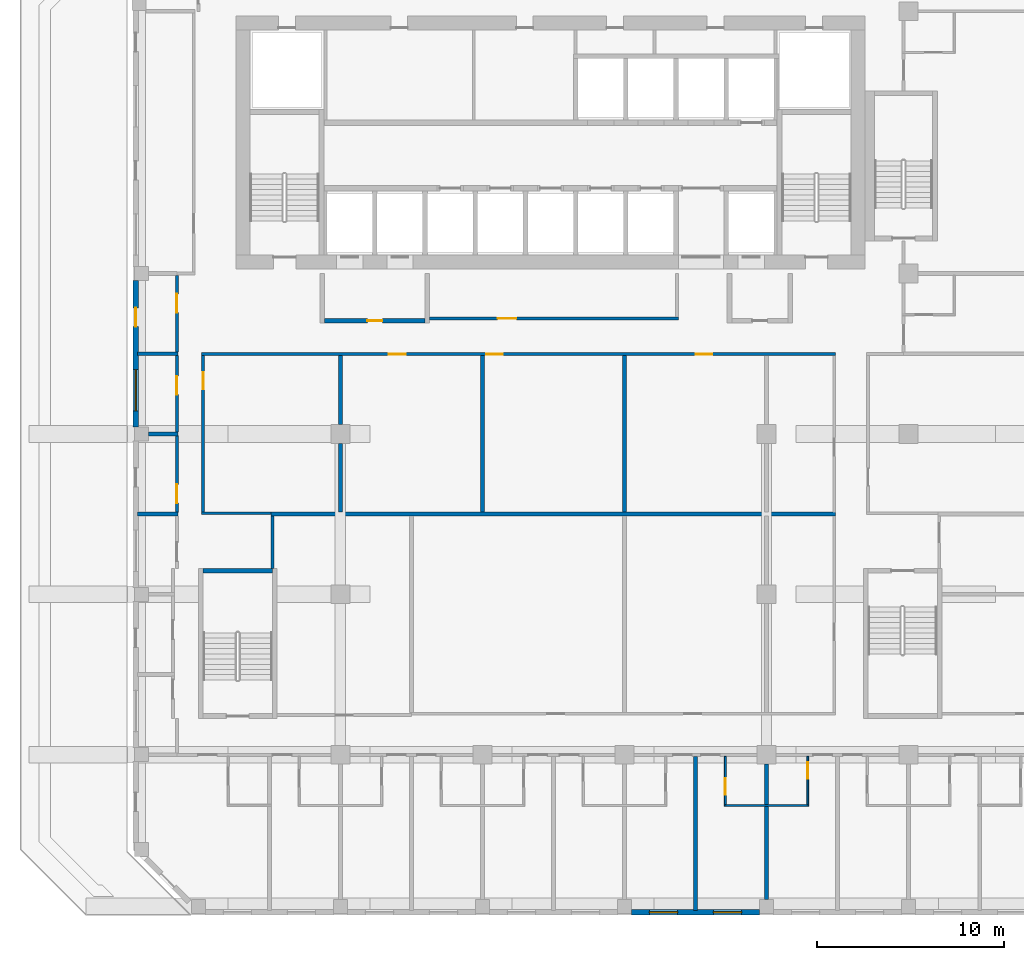
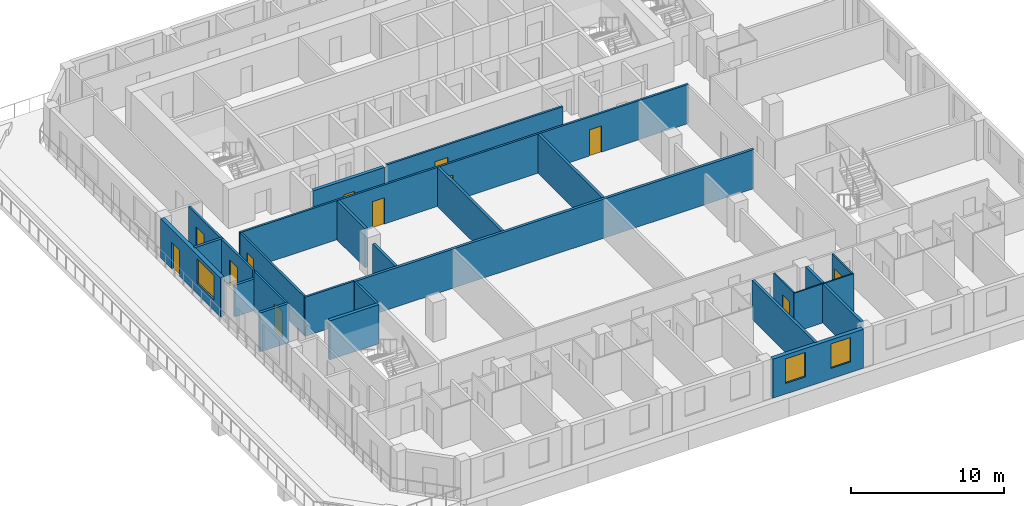
# One storey, part 4 of 16: 26 walls, 12 doors, 3 windows, 15 openings.
"""IFC4 building model written with IfcOpenShell, lengths in metres."""

from ifc_helpers import new_model, si_unit, direction, frame, frame_2d, origin, place, context, subcontext, project, spatial, rectangle, extrude, source, transform, mapped, material, layer, layer_set, type_object, element, fill, save


model = new_model("IFC4")

# Units and contexts
model_context = context("Model", 3, precision=1e-05, world=origin(), true_north=direction((0.0, 1.0)))
body_context = subcontext(model_context, "Body", "Model", "MODEL_VIEW")
ifc_project = project(units=[si_unit("LENGTHUNIT", "METRE"), si_unit("AREAUNIT", "SQUARE_METRE"), si_unit("VOLUMEUNIT", "CUBIC_METRE"), si_unit("PLANEANGLEUNIT", "RADIAN"), si_unit("MASSUNIT", "GRAM", prefix="KILO")], contexts=[model_context])

# Site, building, storey
site_placement = place(None, origin())
site = spatial("IfcSite", under=ifc_project, at=site_placement, CompositionType="ELEMENT")
building_placement = place(site_placement, origin())
building = spatial("IfcBuilding", under=site, at=building_placement, Name="Kilnfold Tower and Market Hall", CompositionType="ELEMENT")
storey_placement = place(building_placement, frame((0.0, 0.0, 199.89990234375)))
storey = spatial("IfcBuildingStorey", under=building, at=storey_placement, Name="L48", CompositionType="ELEMENT", Elevation=199.89990234375)

# Wall, opening, door
ifc_material_1 = material(Name="Gypsum board on steel studs", Category="steel")
ifc_layer_1 = layer(ifc_material_1, 0.14990234375)
ifc_layer_set_1 = layer_set([ifc_layer_1], Name="Gypsum board on steel studs")
wall_type_1 = type_object("IfcWallType", Name="WALL CORRIDOR 150", PredefinedType="PARTITIONING", material=ifc_layer_set_1)
wall_1_placement = place(storey_placement, frame((-18.89990234375, -4.7529296875, 0.0), z_axis=(0.0, 0.0, 1.0), x_axis=(0.0, 1.0, 0.0)))
wall_1 = element("IfcWall", 1, at=wall_1_placement, inside=storey, type_object=wall_type_1, Name="Partition LY30.14", PredefinedType="PARTITIONING", context=body_context, shape_type="SweptSolid", body=[
    extrude(rectangle(XDim=4.100830078125, YDim=0.14990234375, at=frame_2d((2.05029296875, 0.0))), origin(), (0.0, 0.0, 1.0), 3.1201171875),
])
opening_1_placement = place(wall_1_placement, frame((0.5, 0.0, 0.0)))
opening_1 = element("IfcOpeningElement", 2, at=opening_1_placement, cuts=wall_1, Name="Opening D4", PredefinedType="OPENING", context=body_context, shape_type="SweptSolid", body=[
    extrude(rectangle(XDim=1.0, YDim=2.10009765625, at=frame_2d((0.5, 1.050048828125))), frame((0.0, 0.0849609375, 0.0), z_axis=(0.0, -1.0, 0.0), x_axis=(1.0, 0.0, 0.0)), (0.0, 0.0, 1.0), 0.169921875),
])
ifc_material_2 = material(Name="Timber veneer door leaf in steel frame", Category="steel")
door_type_1 = type_object("IfcDoorType", Name="DOOR SERVICE 1000 X2100", OperationType="NOTDEFINED", PredefinedType="DOOR", material=ifc_material_2)
door_1_placement = place(opening_1_placement, origin())
door_1 = element("IfcDoor", 3, at=door_1_placement, inside=storey, type_object=door_type_1, Name="Door D4", OperationType="SINGLE_SWING_LEFT", OverallHeight=2.10009765625, OverallWidth=1.0, PredefinedType="DOOR", context=body_context, shape_type="SweptSolid", body=[
    extrude(rectangle(XDim=1.0, YDim=2.10009765625, at=frame_2d((0.5, 1.050048828125))), frame((0.0, 0.02490234375, 0.0), z_axis=(0.0, -1.0, 0.0), x_axis=(1.0, 0.0, 0.0)), (0.0, 0.0, 1.0), 0.050048828125),
])
fill(opening_1, door_1)

wall_2_placement = place(storey_placement, frame((-18.89990234375, -0.471923828125, 0.0), z_axis=(0.0, 0.0, 1.0), x_axis=(0.0, 1.0, 0.0)))
wall_2 = element("IfcWall", 4, at=wall_2_placement, inside=storey, type_object=wall_type_1, Name="Partition LY30.15", PredefinedType="PARTITIONING", context=body_context, shape_type="SweptSolid", body=[
    extrude(rectangle(XDim=4.100830078125, YDim=0.14990234375, at=frame_2d((2.05029296875, 0.0))), origin(), (0.0, 0.0, 1.0), 3.1201171875),
])
opening_2_placement = place(wall_2_placement, frame((2.0009765625, 0.0, 0.0)))
opening_2 = element("IfcOpeningElement", 5, at=opening_2_placement, cuts=wall_2, Name="Opening D4", PredefinedType="OPENING", context=body_context, shape_type="SweptSolid", body=[
    extrude(rectangle(XDim=1.0, YDim=2.10009765625, at=frame_2d((0.5, 1.050048828125))), frame((0.0, 0.0849609375, 0.0), z_axis=(0.0, -1.0, 0.0), x_axis=(1.0, 0.0, 0.0)), (0.0, 0.0, 1.0), 0.169921875),
])
door_2_placement = place(opening_2_placement, origin())
door_2 = element("IfcDoor", 6, at=door_2_placement, inside=storey, type_object=door_type_1, Name="Door D4", OperationType="SINGLE_SWING_RIGHT", OverallHeight=2.10009765625, OverallWidth=1.0, PredefinedType="DOOR", context=body_context, shape_type="SweptSolid", body=[
    extrude(rectangle(XDim=1.0, YDim=2.10009765625, at=frame_2d((0.5, 1.050048828125))), frame((0.0, 0.02490234375, 0.0), z_axis=(0.0, -1.0, 0.0), x_axis=(1.0, 0.0, 0.0)), (0.0, 0.0, 1.0), 0.050048828125),
])
fill(opening_2, door_2)

wall_3_placement = place(storey_placement, frame((-18.89990234375, 3.80908203125, 0.0), z_axis=(0.0, 0.0, 1.0), x_axis=(0.0, 1.0, 0.0)))
wall_3 = element("IfcWall", 7, at=wall_3_placement, inside=storey, type_object=wall_type_1, Name="Partition LY30.16", PredefinedType="PARTITIONING", context=body_context, shape_type="SweptSolid", body=[
    extrude(rectangle(XDim=4.091796875, YDim=0.14990234375, at=frame_2d((2.0458984375, 0.0))), origin(), (0.0, 0.0, 1.0), 3.1201171875),
])
opening_3_placement = place(wall_3_placement, frame((2.111083984375, 0.0, 0.0)))
opening_3 = element("IfcOpeningElement", 8, at=opening_3_placement, cuts=wall_3, Name="Opening D4", PredefinedType="OPENING", context=body_context, shape_type="SweptSolid", body=[
    extrude(rectangle(XDim=1.0, YDim=2.10009765625, at=frame_2d((0.5, 1.050048828125))), frame((0.0, 0.0849609375, 0.0), z_axis=(0.0, -1.0, 0.0), x_axis=(1.0, 0.0, 0.0)), (0.0, 0.0, 1.0), 0.169921875),
])
door_3_placement = place(opening_3_placement, origin())
door_3 = element("IfcDoor", 9, at=door_3_placement, inside=storey, type_object=door_type_1, Name="Door D4", OperationType="SINGLE_SWING_LEFT", OverallHeight=2.10009765625, OverallWidth=1.0, PredefinedType="DOOR", context=body_context, shape_type="SweptSolid", body=[
    extrude(rectangle(XDim=1.0, YDim=2.10009765625, at=frame_2d((0.5, 1.050048828125))), frame((0.0, 0.02490234375, 0.0), z_axis=(0.0, -1.0, 0.0), x_axis=(1.0, 0.0, 0.0)), (0.0, 0.0, 1.0), 0.050048828125),
])
fill(opening_3, door_3)

wall_4_placement = place(storey_placement, frame((7.875, 5.60009765625, 0.0), z_axis=(0.0, 0.0, 1.0), x_axis=(-1.0, 0.0, 0.0)))
wall_4 = element("IfcWall", 10, at=wall_4_placement, inside=storey, type_object=wall_type_1, Name="Partition LY30.32", PredefinedType="PARTITIONING", context=body_context, shape_type="SweptSolid", body=[
    extrude(rectangle(XDim=13.27490234375, YDim=0.14990234375, at=frame_2d((6.637451171875, 0.0))), origin(), (0.0, 0.0, 1.0), 3.1201171875),
])
opening_4_placement = place(wall_4_placement, frame((8.653076171875, 0.0, 0.0)))
opening_4 = element("IfcOpeningElement", 11, at=opening_4_placement, cuts=wall_4, Name="Opening D1", PredefinedType="OPENING", context=body_context, shape_type="SweptSolid", body=[
    extrude(rectangle(XDim=1.0, YDim=2.10009765625, at=frame_2d((0.5, 1.050048828125))), frame((0.0, 0.0849609375, 0.0), z_axis=(0.0, -1.0, 0.0), x_axis=(1.0, 0.0, 0.0)), (0.0, 0.0, 1.0), 0.169921875),
])
ifc_material_3 = material(Name="Timber veneer door leaf in steel frame", Category="steel")
door_type_2 = type_object("IfcDoorType", Name="DOOR ENTRY 1000 X2100", OperationType="NOTDEFINED", PredefinedType="DOOR", material=ifc_material_3)
door_4_placement = place(opening_4_placement, origin())
door_4 = element("IfcDoor", 12, at=door_4_placement, inside=storey, type_object=door_type_2, Name="Door D1", OperationType="SINGLE_SWING_LEFT", OverallHeight=2.10009765625, OverallWidth=1.0, PredefinedType="DOOR", context=body_context, shape_type="SweptSolid", body=[
    extrude(rectangle(XDim=1.0, YDim=2.10009765625, at=frame_2d((0.5, 1.050048828125))), frame((0.0, 0.02490234375, 0.0), z_axis=(0.0, -1.0, 0.0), x_axis=(1.0, 0.0, 0.0)), (0.0, 0.0, 1.0), 0.050048828125),
])
fill(opening_4, door_4)

# Wall
wall_5_placement = place(storey_placement, frame((-17.574951171875, -4.800048828125, 0.0), z_axis=(0.0, 0.0, 1.0), x_axis=(1.0, 0.0, 0.0)))
element("IfcWall", 13, at=wall_5_placement, inside=storey, type_object=wall_type_1, Name="Partition LY30.34", PredefinedType="PARTITIONING", context=body_context, shape_type="SweptSolid", body=[
    extrude(rectangle(XDim=3.701904296875, YDim=0.14990234375, at=frame_2d((1.85107421875, 0.0))), origin(), (0.0, 0.0, 1.0), 3.1201171875),
])

# Wall, openings, doors
wall_6_placement = place(storey_placement, frame((-17.574951171875, 3.699951171875, 0.0), z_axis=(0.0, 0.0, 1.0), x_axis=(1.0, 0.0, 0.0)))
wall_6 = element("IfcWall", 14, at=wall_6_placement, inside=storey, type_object=wall_type_1, Name="Partition LY30.35", PredefinedType="PARTITIONING", context=body_context, shape_type="SweptSolid", body=[
    extrude(rectangle(XDim=33.849853515625, YDim=0.14990234375, at=frame_2d((16.9248046875, 0.0))), origin(), (0.0, 0.0, 1.0), 3.1201171875),
])
opening_5_placement = place(wall_6_placement, frame((10.0, 0.0, 0.0)))
opening_5 = element("IfcOpeningElement", 15, at=opening_5_placement, cuts=wall_6, Name="Opening D2", PredefinedType="OPENING", context=body_context, shape_type="SweptSolid", body=[
    extrude(rectangle(XDim=0.89990234375, YDim=2.10009765625, at=frame_2d((0.449951171875, 1.050048828125))), frame((0.0, 0.0849609375, 0.0), z_axis=(0.0, -1.0, 0.0), x_axis=(1.0, 0.0, 0.0)), (0.0, 0.0, 1.0), 0.169921875),
])
opening_6_placement = place(wall_6_placement, frame((15.181884765625, 0.0, 0.0)))
opening_6 = element("IfcOpeningElement", 16, at=opening_6_placement, cuts=wall_6, Name="Opening D2", PredefinedType="OPENING", context=body_context, shape_type="SweptSolid", body=[
    extrude(rectangle(XDim=0.89990234375, YDim=2.10009765625, at=frame_2d((0.449951171875, 1.050048828125))), frame((0.0, 0.0849609375, 0.0), z_axis=(0.0, -1.0, 0.0), x_axis=(1.0, 0.0, 0.0)), (0.0, 0.0, 1.0), 0.169921875),
])
opening_7_placement = place(wall_6_placement, frame((26.366943359375, 0.0, 0.0)))
opening_7 = element("IfcOpeningElement", 17, at=opening_7_placement, cuts=wall_6, Name="Opening D2", PredefinedType="OPENING", context=body_context, shape_type="SweptSolid", body=[
    extrude(rectangle(XDim=0.89990234375, YDim=2.10009765625, at=frame_2d((0.449951171875, 1.050048828125))), frame((0.0, 0.0849609375, 0.0), z_axis=(0.0, -1.0, 0.0), x_axis=(1.0, 0.0, 0.0)), (0.0, 0.0, 1.0), 0.169921875),
])
ifc_material_4 = material(Name="Timber veneer door leaf in steel frame", Category="steel")
door_type_3 = type_object("IfcDoorType", Name="DOOR ROOM 900 X2100", OperationType="NOTDEFINED", PredefinedType="DOOR", material=ifc_material_4)
door_5_placement = place(opening_5_placement, origin())
door_5 = element("IfcDoor", 18, at=door_5_placement, inside=storey, type_object=door_type_3, Name="Door D2", OperationType="SINGLE_SWING_LEFT", OverallHeight=2.10009765625, OverallWidth=0.89990234375, PredefinedType="DOOR", context=body_context, shape_type="SweptSolid", body=[
    extrude(rectangle(XDim=0.89990234375, YDim=2.10009765625, at=frame_2d((0.449951171875, 1.050048828125))), frame((0.0, 0.02490234375, 0.0), z_axis=(0.0, -1.0, 0.0), x_axis=(1.0, 0.0, 0.0)), (0.0, 0.0, 1.0), 0.050048828125),
])
fill(opening_5, door_5)
door_6_placement = place(opening_6_placement, origin())
door_6 = element("IfcDoor", 19, at=door_6_placement, inside=storey, type_object=door_type_3, Name="Door D2", OperationType="SINGLE_SWING_LEFT", OverallHeight=2.10009765625, OverallWidth=0.89990234375, PredefinedType="DOOR", context=body_context, shape_type="SweptSolid", body=[
    extrude(rectangle(XDim=0.89990234375, YDim=2.10009765625, at=frame_2d((0.449951171875, 1.050048828125))), frame((0.0, 0.02490234375, 0.0), z_axis=(0.0, -1.0, 0.0), x_axis=(1.0, 0.0, 0.0)), (0.0, 0.0, 1.0), 0.050048828125),
])
fill(opening_6, door_6)
door_7_placement = place(opening_7_placement, origin())
door_7 = element("IfcDoor", 20, at=door_7_placement, inside=storey, type_object=door_type_3, Name="Door D2", OperationType="SINGLE_SWING_LEFT", OverallHeight=2.10009765625, OverallWidth=0.89990234375, PredefinedType="DOOR", context=body_context, shape_type="SweptSolid", body=[
    extrude(rectangle(XDim=0.89990234375, YDim=2.10009765625, at=frame_2d((0.449951171875, 1.050048828125))), frame((0.0, 0.02490234375, 0.0), z_axis=(0.0, -1.0, 0.0), x_axis=(1.0, 0.0, 0.0)), (0.0, 0.0, 1.0), 0.050048828125),
])
fill(opening_7, door_7)

# Wall, opening, door
wall_7_placement = place(storey_placement, frame((-17.5, -4.72509765625, 0.0), z_axis=(0.0, 0.0, 1.0), x_axis=(0.0, 1.0, 0.0)))
wall_7 = element("IfcWall", 21, at=wall_7_placement, inside=storey, type_object=wall_type_1, Name="Partition LY30.36", PredefinedType="PARTITIONING", context=body_context, shape_type="SweptSolid", body=[
    extrude(rectangle(XDim=8.35009765625, YDim=0.14990234375, at=frame_2d((4.175048828125, 0.0))), origin(), (0.0, 0.0, 1.0), 3.1201171875),
])
opening_8_placement = place(wall_7_placement, frame((6.544921875, 0.0, 0.0)))
opening_8 = element("IfcOpeningElement", 22, at=opening_8_placement, cuts=wall_7, Name="Opening D2", PredefinedType="OPENING", context=body_context, shape_type="SweptSolid", body=[
    extrude(rectangle(XDim=0.89990234375, YDim=2.10009765625, at=frame_2d((0.449951171875, 1.050048828125))), frame((0.0, 0.0849609375, 0.0), z_axis=(0.0, -1.0, 0.0), x_axis=(1.0, 0.0, 0.0)), (0.0, 0.0, 1.0), 0.169921875),
])
door_8_placement = place(opening_8_placement, origin())
door_8 = element("IfcDoor", 23, at=door_8_placement, inside=storey, type_object=door_type_3, Name="Door D2", OperationType="SINGLE_SWING_RIGHT", OverallHeight=2.10009765625, OverallWidth=0.89990234375, PredefinedType="DOOR", context=body_context, shape_type="SweptSolid", body=[
    extrude(rectangle(XDim=0.89990234375, YDim=2.10009765625, at=frame_2d((0.449951171875, 1.050048828125))), frame((0.0, 0.02490234375, 0.0), z_axis=(0.0, -1.0, 0.0), x_axis=(1.0, 0.0, 0.0)), (0.0, 0.0, 1.0), 0.050048828125),
])
fill(opening_8, door_8)

# Wall
wall_8_placement = place(storey_placement, frame((-13.800048828125, -7.75, 0.0), z_axis=(0.0, 0.0, 1.0), x_axis=(0.0, 1.0, 0.0)))
element("IfcWall", 24, at=wall_8_placement, inside=storey, type_object=wall_type_1, Name="Partition LY30.38", PredefinedType="PARTITIONING", context=body_context, shape_type="SweptSolid", body=[
    extrude(rectangle(XDim=2.81689453125, YDim=0.14990234375, at=frame_2d((1.408447265625, 0.0))), origin(), (0.0, 0.0, 1.0), 3.1201171875),
])

# Wall, opening, door
ifc_material_5 = material(Name="Gypsum board on steel studs", Category="steel")
ifc_layer_2 = layer(ifc_material_5, 0.10009765625)
ifc_layer_set_2 = layer_set([ifc_layer_2], Name="Gypsum board on steel studs")
wall_type_2 = type_object("IfcWallType", Name="WALL PARTITION 100", PredefinedType="PARTITIONING", material=ifc_layer_set_2)
wall_9_placement = place(storey_placement, frame((10.383056640625, -20.35205078125, 0.0), z_axis=(0.0, 0.0, 1.0), x_axis=(0.0, 1.0, 0.0)))
wall_9 = element("IfcWall", 25, at=wall_9_placement, inside=storey, type_object=wall_type_2, Name="Partition LY30.65", PredefinedType="PARTITIONING", context=body_context, shape_type="SweptSolid", body=[
    extrude(rectangle(XDim=2.574951171875, YDim=0.10009765625, at=frame_2d((1.28759765625, 0.0))), origin(), (0.0, 0.0, 1.0), 3.1201171875),
])
opening_9_placement = place(wall_9_placement, frame((0.51904296875, 0.0, 0.0)))
opening_9 = element("IfcOpeningElement", 26, at=opening_9_placement, cuts=wall_9, Name="Opening D3", PredefinedType="OPENING", context=body_context, shape_type="SweptSolid", body=[
    extrude(rectangle(XDim=0.89990234375, YDim=2.10009765625, at=frame_2d((0.449951171875, 1.050048828125))), frame((0.0, 0.06005859375, 0.0), z_axis=(0.0, -1.0, 0.0), x_axis=(1.0, 0.0, 0.0)), (0.0, 0.0, 1.0), 0.1201171875),
])
ifc_material_6 = material(Name="Timber veneer door leaf in steel frame", Category="steel")
door_type_4 = type_object("IfcDoorType", Name="DOOR WC 900 X2100", OperationType="NOTDEFINED", PredefinedType="DOOR", material=ifc_material_6)
door_9_placement = place(opening_9_placement, origin())
door_9 = element("IfcDoor", 27, at=door_9_placement, inside=storey, type_object=door_type_4, Name="Door D3", OperationType="SINGLE_SWING_RIGHT", OverallHeight=2.10009765625, OverallWidth=0.89990234375, PredefinedType="DOOR", context=body_context, shape_type="SweptSolid", body=[
    extrude(rectangle(XDim=0.89990234375, YDim=2.10009765625, at=frame_2d((0.449951171875, 1.050048828125))), frame((0.0, 0.02490234375, 0.0), z_axis=(0.0, -1.0, 0.0), x_axis=(1.0, 0.0, 0.0)), (0.0, 0.0, 1.0), 0.050048828125),
])
fill(opening_9, door_9)

# Wall
wall_10_placement = place(storey_placement, frame((10.3330078125, -20.402099609375, 0.0), z_axis=(0.0, 0.0, 1.0), x_axis=(1.0, 0.0, 0.0)))
element("IfcWall", 28, at=wall_10_placement, inside=storey, type_object=wall_type_2, Name="Partition LY30.66", PredefinedType="PARTITIONING", context=body_context, shape_type="SweptSolid", body=[
    extrude(rectangle(XDim=4.5, YDim=0.10009765625, at=frame_2d((2.25, 0.0))), origin(), (0.0, 0.0, 1.0), 3.1201171875),
])

# Wall, opening, door
wall_11_placement = place(storey_placement, frame((14.782958984375, -17.777099609375, 0.0), z_axis=(0.0, 0.0, 1.0), x_axis=(0.0, -1.0, 0.0)))
wall_11 = element("IfcWall", 29, at=wall_11_placement, inside=storey, type_object=wall_type_2, Name="Partition LY30.69", PredefinedType="PARTITIONING", context=body_context, shape_type="SweptSolid", body=[
    extrude(rectangle(XDim=2.574951171875, YDim=0.10009765625, at=frame_2d((1.28759765625, 0.0))), origin(), (0.0, 0.0, 1.0), 3.1201171875),
])
opening_10_placement = place(wall_11_placement, frame((0.305908203125, 0.0, 0.0)))
opening_10 = element("IfcOpeningElement", 30, at=opening_10_placement, cuts=wall_11, Name="Opening D3", PredefinedType="OPENING", context=body_context, shape_type="SweptSolid", body=[
    extrude(rectangle(XDim=0.89990234375, YDim=2.10009765625, at=frame_2d((0.449951171875, 1.050048828125))), frame((0.0, 0.06005859375, 0.0), z_axis=(0.0, -1.0, 0.0), x_axis=(1.0, 0.0, 0.0)), (0.0, 0.0, 1.0), 0.1201171875),
])
door_10_placement = place(opening_10_placement, origin())
door_10 = element("IfcDoor", 31, at=door_10_placement, inside=storey, type_object=door_type_4, Name="Door D3", OperationType="SINGLE_SWING_RIGHT", OverallHeight=2.10009765625, OverallWidth=0.89990234375, PredefinedType="DOOR", context=body_context, shape_type="SweptSolid", body=[
    extrude(rectangle(XDim=0.89990234375, YDim=2.10009765625, at=frame_2d((0.449951171875, 1.050048828125))), frame((0.0, 0.02490234375, 0.0), z_axis=(0.0, -1.0, 0.0), x_axis=(1.0, 0.0, 0.0)), (0.0, 0.0, 1.0), 0.050048828125),
])
fill(opening_10, door_10)

# Walls
ifc_material_7 = material(Name="Gypsum board on steel studs", Category="steel")
ifc_layer_3 = layer(ifc_material_7, 0.199951171875)
ifc_layer_set_3 = layer_set([ifc_layer_3], Name="Gypsum board on steel studs")
wall_type_3 = type_object("IfcWallType", Name="WALL PARTY 200", PredefinedType="PARTITIONING", material=ifc_layer_set_3)
wall_12_placement = place(storey_placement, frame((8.791015625, -26.0, 0.0), z_axis=(0.0, 0.0, 1.0), x_axis=(0.0, 1.0, 0.0)))
element("IfcWall", 32, at=wall_12_placement, inside=storey, type_object=wall_type_3, Name="Partition LY30.64", PredefinedType="PARTITIONING", context=body_context, shape_type="SweptSolid", body=[
    extrude(rectangle(XDim=8.222900390625, YDim=0.199951171875, at=frame_2d((4.111328125, 0.0))), origin(), (0.0, 0.0, 1.0), 3.1201171875),
])
wall_13_placement = place(storey_placement, frame((12.5830078125, -25.425048828125, 0.0), z_axis=(0.0, 0.0, 1.0), x_axis=(0.0, 1.0, 0.0)))
element("IfcWall", 33, at=wall_13_placement, inside=storey, type_object=wall_type_3, Name="Partition LY30.67", PredefinedType="PARTITIONING", context=body_context, shape_type="SweptSolid", body=[
    extrude(rectangle(XDim=4.97314453125, YDim=0.199951171875, at=frame_2d((2.486572265625, 0.0))), origin(), (0.0, 0.0, 1.0), 3.1201171875),
])
wall_14_placement = place(storey_placement, frame((12.5830078125, -20.35205078125, 0.0), z_axis=(0.0, 0.0, 1.0), x_axis=(0.0, 1.0, 0.0)))
element("IfcWall", 34, at=wall_14_placement, inside=storey, type_object=wall_type_3, Name="Partition LY30.68", PredefinedType="PARTITIONING", context=body_context, shape_type="SweptSolid", body=[
    extrude(rectangle(XDim=2.1640625, YDim=0.199951171875, at=frame_2d((1.08203125, 0.0))), origin(), (0.0, 0.0, 1.0), 3.1201171875),
])
wall_15_placement = place(storey_placement, frame((-21.0, -4.843017578125, 0.0), z_axis=(0.0, 0.0, 1.0), x_axis=(1.0, 0.0, 0.0)))
element("IfcWall", 35, at=wall_15_placement, inside=storey, type_object=wall_type_3, Name="Partition LY30.85", PredefinedType="PARTITIONING", context=body_context, shape_type="SweptSolid", body=[
    extrude(rectangle(XDim=2.173095703125, YDim=0.199951171875, at=frame_2d((1.08642578125, 0.0))), origin(), (0.0, 0.0, 1.0), 3.1201171875),
])
wall_16_placement = place(storey_placement, frame((-18.826904296875, -0.56201171875, 0.0), z_axis=(0.0, 0.0, 1.0), x_axis=(-1.0, 0.0, 0.0)))
element("IfcWall", 36, at=wall_16_placement, inside=storey, type_object=wall_type_3, Name="Partition LY30.86", PredefinedType="PARTITIONING", context=body_context, shape_type="SweptSolid", body=[
    extrude(rectangle(XDim=1.59814453125, YDim=0.199951171875, at=frame_2d((0.799072265625, 0.0))), origin(), (0.0, 0.0, 1.0), 2.52001953125),
])
wall_17_placement = place(storey_placement, frame((-21.0, 3.718994140625, 0.0), z_axis=(0.0, 0.0, 1.0), x_axis=(1.0, 0.0, 0.0)))
element("IfcWall", 37, at=wall_17_placement, inside=storey, type_object=wall_type_3, Name="Partition LY30.87", PredefinedType="PARTITIONING", context=body_context, shape_type="SweptSolid", body=[
    extrude(rectangle(XDim=2.173095703125, YDim=0.199951171875, at=frame_2d((1.08642578125, 0.0))), origin(), (0.0, 0.0, 1.0), 3.1201171875),
])
wall_18_placement = place(storey_placement, frame((-10.1669921875, -0.06201171875, 0.0), z_axis=(0.0, 0.0, 1.0), x_axis=(0.0, 1.0, 0.0)))
element("IfcWall", 38, at=wall_18_placement, inside=storey, type_object=wall_type_3, Name="Partition LY30.110", PredefinedType="PARTITIONING", context=body_context, shape_type="SweptSolid", body=[
    extrude(rectangle(XDim=3.68505859375, YDim=0.199951171875, at=frame_2d((1.842529296875, 0.0))), origin(), (0.0, 0.0, 1.0), 3.1201171875),
])
wall_19_placement = place(storey_placement, frame((-10.1669921875, -4.742919921875, 0.0), z_axis=(0.0, 0.0, 1.0), x_axis=(0.0, 1.0, 0.0)))
element("IfcWall", 39, at=wall_19_placement, inside=storey, type_object=wall_type_3, Name="Partition LY30.111", PredefinedType="PARTITIONING", context=body_context, shape_type="SweptSolid", body=[
    extrude(rectangle(XDim=3.680908203125, YDim=0.199951171875, at=frame_2d((1.84033203125, 0.0))), origin(), (0.0, 0.0, 1.0), 2.52001953125),
])
wall_20_placement = place(storey_placement, frame((-13.873046875, -4.843017578125, 0.0), z_axis=(0.0, 0.0, 1.0), x_axis=(1.0, 0.0, 0.0)))
element("IfcWall", 40, at=wall_20_placement, inside=storey, type_object=wall_type_3, Name="Partition LY30.112", PredefinedType="PARTITIONING", context=body_context, shape_type="SweptSolid", body=[
    extrude(rectangle(XDim=30.14599609375, YDim=0.199951171875, at=frame_2d((15.072998046875, 0.0))), origin(), (0.0, 0.0, 1.0), 3.1201171875),
])
for number, where, z_axis, x_axis, name in (
    (41, (-2.5830078125, -4.742919921875, 0.0), (0.0, 0.0, 1.0), (0.0, 1.0, 0.0), "Partition LY30.113"),
    (42, (5.0, -4.742919921875, 0.0), (0.0, 0.0, 1.0), (0.0, 1.0, 0.0), "Partition LY30.114"),
):
    element("IfcWall", number, at=place(storey_placement, frame(where, z_axis=z_axis, x_axis=x_axis)), inside=storey, type_object=wall_type_3, Name=name, PredefinedType="PARTITIONING", context=body_context, shape_type="SweptSolid", body=[
        extrude(rectangle(XDim=8.365966796875, YDim=0.199951171875, at=frame_2d((4.18310546875, 0.0))), origin(), (0.0, 0.0, 1.0), 3.1201171875),
    ])
ifc_material_8 = material(Name="Concrete C60", Category="concrete")
ifc_layer_4 = layer(ifc_material_8, 0.25)
ifc_layer_set_4 = layer_set([ifc_layer_4], Name="Concrete C60")
wall_type_4 = type_object("IfcWallType", Name="CORE WALL 250 C60", PredefinedType="SHEAR", material=ifc_layer_set_4)
shared_shape_1 = source(origin(), body_context, "Body", "SweptSolid", [
    extrude(rectangle(XDim=3.699951171875, YDim=0.25, at=frame_2d((1.85009765625, 0.0))), origin(), (0.0, 0.0, 1.0), 3.1201171875),
])
wall_21_placement = place(storey_placement, frame((-17.5, -7.875, 0.0), z_axis=(0.0, 0.0, 1.0), x_axis=(1.0, 0.0, 0.0)))
element("IfcWall", 43, at=wall_21_placement, inside=storey, type_object=wall_type_4, Name="Stair enclosure ST3", PredefinedType="SHEAR", context=body_context, shape_type="MappedRepresentation", body=[
    mapped(shared_shape_1, transform((0.0, 0.0, 0.0))),
])

# Wall, openings, windows
ifc_material_9 = material(Name="Precast concrete C50/60", Category="concrete")
ifc_layer_5 = layer(ifc_material_9, 0.300048828125)
ifc_layer_set_5 = layer_set([ifc_layer_5], Name="Precast concrete C50/60")
wall_type_5 = type_object("IfcWallType", Name="PRECAST WALL 300", PredefinedType="SOLIDWALL", material=ifc_layer_set_5)
shared_shape_2 = source(origin(), body_context, "Body", "SweptSolid", [
    extrude(rectangle(XDim=6.833251953125, YDim=0.300048828125, at=frame_2d((3.41650390625, 0.0))), origin(), (0.0, 0.0, 1.0), 3.1201171875),
])
wall_22_placement = place(storey_placement, frame((5.375, -26.10009765625, 0.0), z_axis=(0.0, 0.0, 1.0), x_axis=(1.0, 0.0, 0.0)))
wall_22 = element("IfcWall", 44, at=wall_22_placement, inside=storey, type_object=wall_type_5, Name="External wall L48 S", PredefinedType="SOLIDWALL", context=body_context, shape_type="MappedRepresentation", body=[
    mapped(shared_shape_2, transform((0.0, 0.0, 0.0))),
])
opening_11_placement = place(wall_22_placement, frame((0.958251953125, 0.0, 0.85009765625)))
opening_11 = element("IfcOpeningElement", 45, at=opening_11_placement, cuts=wall_22, Name="Opening W4", PredefinedType="OPENING", context=body_context, shape_type="SweptSolid", body=[
    extrude(rectangle(XDim=1.5, YDim=1.949951171875, at=frame_2d((0.75, 0.97509765625))), frame((0.0, 0.16015625, 0.0), z_axis=(0.0, -1.0, 0.0), x_axis=(1.0, 0.0, 0.0)), (0.0, 0.0, 1.0), 0.320068359375),
])
opening_12_placement = place(wall_22_placement, frame((4.375, 0.0, 0.85009765625)))
opening_12 = element("IfcOpeningElement", 46, at=opening_12_placement, cuts=wall_22, Name="Opening W4", PredefinedType="OPENING", context=body_context, shape_type="SweptSolid", body=[
    extrude(rectangle(XDim=1.5, YDim=1.949951171875, at=frame_2d((0.75, 0.97509765625))), frame((0.0, 0.16015625, 0.0), z_axis=(0.0, -1.0, 0.0), x_axis=(1.0, 0.0, 0.0)), (0.0, 0.0, 1.0), 0.320068359375),
])
ifc_material_10 = material(Name="Aluminium frame and double glazing", Category="aluminium")
window_type_1 = type_object("IfcWindowType", Name="WINDOW W4 1500X1950", PartitioningType="SINGLE_PANEL", PredefinedType="WINDOW", material=ifc_material_10)
window_1_placement = place(opening_11_placement, origin())
window_1 = element("IfcWindow", 47, at=window_1_placement, inside=storey, type_object=window_type_1, Name="Window W4 L48 S-1", OverallHeight=1.949951171875, OverallWidth=1.5, PartitioningType="SINGLE_PANEL", PredefinedType="WINDOW", context=body_context, shape_type="SweptSolid", body=[
    extrude(rectangle(XDim=1.5, YDim=1.949951171875, at=frame_2d((0.75, 0.97509765625))), frame((0.0, 0.030029296875, 0.0), z_axis=(0.0, -1.0, 0.0), x_axis=(1.0, 0.0, 0.0)), (0.0, 0.0, 1.0), 0.06005859375),
])
fill(opening_11, window_1)
window_2_placement = place(opening_12_placement, origin())
window_2 = element("IfcWindow", 48, at=window_2_placement, inside=storey, type_object=window_type_1, Name="Window W4 L48 S-2", OverallHeight=1.949951171875, OverallWidth=1.5, PartitioningType="SINGLE_PANEL", PredefinedType="WINDOW", context=body_context, shape_type="SweptSolid", body=[
    extrude(rectangle(XDim=1.5, YDim=1.949951171875, at=frame_2d((0.75, 0.97509765625))), frame((0.0, 0.030029296875, 0.0), z_axis=(0.0, -1.0, 0.0), x_axis=(1.0, 0.0, 0.0)), (0.0, 0.0, 1.0), 0.06005859375),
])
fill(opening_12, window_2)

# Wall, openings, door, window
shared_shape_3 = source(origin(), body_context, "Body", "SweptSolid", [
    extrude(rectangle(XDim=7.8125, YDim=0.300048828125, at=frame_2d((3.90625, 0.0))), origin(), (0.0, 0.0, 1.0), 3.1201171875),
])
wall_23_placement = place(storey_placement, frame((-21.10009765625, 7.625, 0.0), z_axis=(0.0, 0.0, 1.0), x_axis=(0.0, -1.0, 0.0)))
wall_23 = element("IfcWall", 49, at=wall_23_placement, inside=storey, type_object=wall_type_5, Name="External wall L48 W", PredefinedType="SOLIDWALL", context=body_context, shape_type="MappedRepresentation", body=[
    mapped(shared_shape_3, transform((0.0, 0.0, 0.0))),
])
opening_13_placement = place(wall_23_placement, frame((1.453125, 0.0, 0.0)))
opening_13 = element("IfcOpeningElement", 50, at=opening_13_placement, cuts=wall_23, Name="Opening BD1", PredefinedType="OPENING", context=body_context, shape_type="SweptSolid", body=[
    extrude(rectangle(XDim=1.0, YDim=2.10009765625, at=frame_2d((0.5, 1.050048828125))), frame((0.0, 0.16015625, 0.0), z_axis=(0.0, -1.0, 0.0), x_axis=(1.0, 0.0, 0.0)), (0.0, 0.0, 1.0), 0.320068359375),
])
opening_14_placement = place(wall_23_placement, frame((4.75927734375, 0.0, 0.85009765625)))
opening_14 = element("IfcOpeningElement", 51, at=opening_14_placement, cuts=wall_23, Name="Opening W2", PredefinedType="OPENING", context=body_context, shape_type="SweptSolid", body=[
    extrude(rectangle(XDim=2.199951171875, YDim=1.949951171875, at=frame_2d((1.10009765625, 0.97509765625))), frame((0.0, 0.16015625, 0.0), z_axis=(0.0, -1.0, 0.0), x_axis=(1.0, 0.0, 0.0)), (0.0, 0.0, 1.0), 0.320068359375),
])
ifc_material_11 = material(Name="Aluminium frame and double glazing", Category="aluminium")
door_type_5 = type_object("IfcDoorType", Name="BALCONY DOOR 1000X2100", OperationType="NOTDEFINED", PredefinedType="DOOR", material=ifc_material_11)
door_11_placement = place(opening_13_placement, origin())
door_11 = element("IfcDoor", 52, at=door_11_placement, inside=storey, type_object=door_type_5, Name="Balcony door BD1 L48 W-1", OperationType="SINGLE_SWING_LEFT", OverallHeight=2.10009765625, OverallWidth=1.0, PredefinedType="DOOR", context=body_context, shape_type="SweptSolid", body=[
    extrude(rectangle(XDim=1.0, YDim=2.10009765625, at=frame_2d((0.5, 1.050048828125))), frame((0.0, 0.02490234375, 0.0), z_axis=(0.0, -1.0, 0.0), x_axis=(1.0, 0.0, 0.0)), (0.0, 0.0, 1.0), 0.050048828125),
])
fill(opening_13, door_11)
ifc_material_12 = material(Name="Aluminium frame and double glazing", Category="aluminium")
window_type_2 = type_object("IfcWindowType", Name="WINDOW W2 2200X1950", PartitioningType="SINGLE_PANEL", PredefinedType="WINDOW", material=ifc_material_12)
window_3_placement = place(opening_14_placement, origin())
window_3 = element("IfcWindow", 53, at=window_3_placement, inside=storey, type_object=window_type_2, Name="Window W2 L48 W-2", OverallHeight=1.949951171875, OverallWidth=2.199951171875, PartitioningType="SINGLE_PANEL", PredefinedType="WINDOW", context=body_context, shape_type="SweptSolid", body=[
    extrude(rectangle(XDim=2.199951171875, YDim=1.949951171875, at=frame_2d((1.10009765625, 0.97509765625))), frame((0.0, 0.030029296875, 0.0), z_axis=(0.0, -1.0, 0.0), x_axis=(1.0, 0.0, 0.0)), (0.0, 0.0, 1.0), 0.06005859375),
])
fill(opening_14, window_3)

# Wall, opening, door
ifc_material_13 = material(Name="Gypsum shaft wall system")
ifc_layer_6 = layer(ifc_material_13, 0.25)
ifc_layer_set_6 = layer_set([ifc_layer_6], Name="Gypsum shaft wall system")
wall_type_6 = type_object("IfcWallType", Name="LOBBY WALL 250", PredefinedType="PARTITIONING", material=ifc_layer_set_6)
shared_shape_4 = source(origin(), body_context, "Body", "SweptSolid", [
    extrude(rectangle(XDim=5.360107421875, YDim=0.25, at=frame_2d((2.68017578125, 0.0))), origin(), (0.0, 0.0, 1.0), 3.1201171875),
])
wall_24_placement = place(storey_placement, frame((-11.010009765625, 5.47509765625, 0.0), z_axis=(0.0, 0.0, 1.0), x_axis=(1.0, 0.0, 0.0)))
wall_24 = element("IfcWall", 54, at=wall_24_placement, inside=storey, type_object=wall_type_6, Name="Firefighting lobby wall", PredefinedType="PARTITIONING", context=body_context, shape_type="MappedRepresentation", body=[
    mapped(shared_shape_4, transform((0.0, 0.0, 0.0))),
])
opening_15_placement = place(wall_24_placement, frame((2.280029296875, 0.0, 0.0)))
opening_15 = element("IfcOpeningElement", 55, at=opening_15_placement, cuts=wall_24, Name="Opening VD1", PredefinedType="OPENING", context=body_context, shape_type="SweptSolid", body=[
    extrude(rectangle(XDim=0.800048828125, YDim=2.0, at=frame_2d((0.39990234375, 1.0))), frame((0.0, 0.135009765625, 0.0), z_axis=(0.0, -1.0, 0.0), x_axis=(1.0, 0.0, 0.0)), (0.0, 0.0, 1.0), 0.27001953125),
])
ifc_material_14 = material(Name="Steel door set with fire-resisting leaf", Category="steel")
door_type_6 = type_object("IfcDoorType", Name="FIREFIGHTING LOBBY DOOR 800X2000", OperationType="NOTDEFINED", PredefinedType="DOOR", material=ifc_material_14)
door_12_placement = place(opening_15_placement, origin())
door_12 = element("IfcDoor", 56, at=door_12_placement, inside=storey, type_object=door_type_6, Name="Firefighting lobby door", OperationType="SINGLE_SWING_LEFT", OverallHeight=2.0, OverallWidth=0.800048828125, PredefinedType="DOOR", context=body_context, shape_type="SweptSolid", body=[
    extrude(rectangle(XDim=0.800048828125, YDim=2.0, at=frame_2d((0.39990234375, 1.0))), frame((0.0, 0.02490234375, 0.0), z_axis=(0.0, -1.0, 0.0), x_axis=(1.0, 0.0, 0.0)), (0.0, 0.0, 1.0), 0.050048828125),
])
fill(opening_15, door_12)

save(model, "model.ifc")
